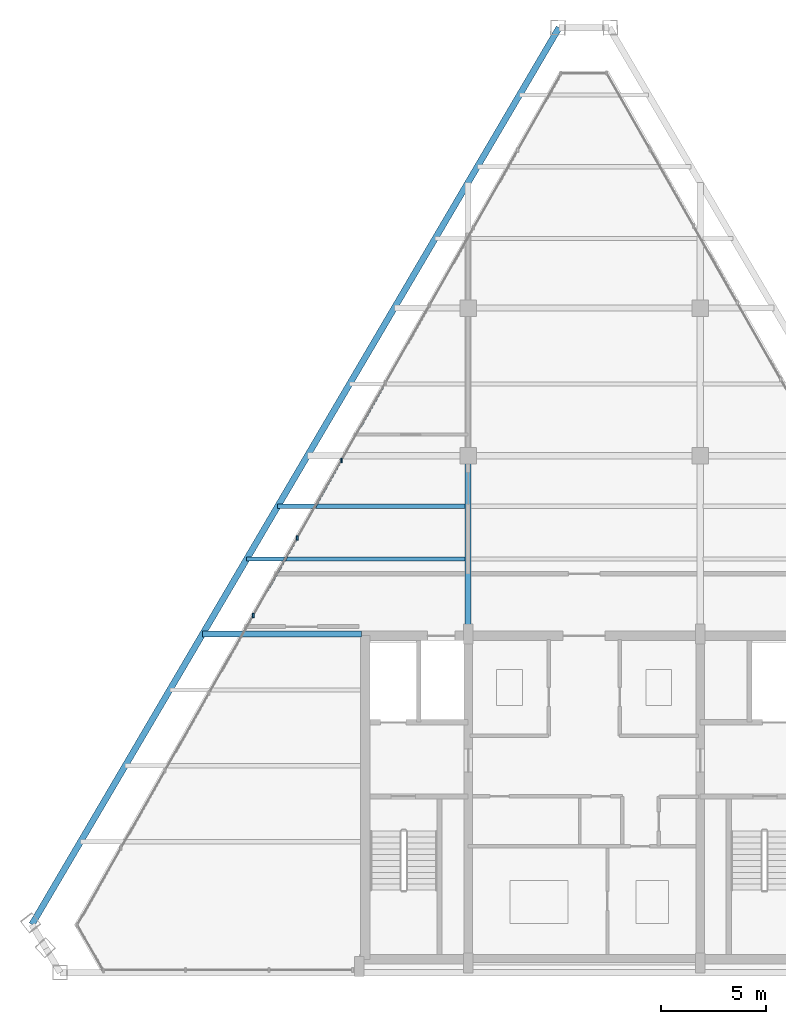
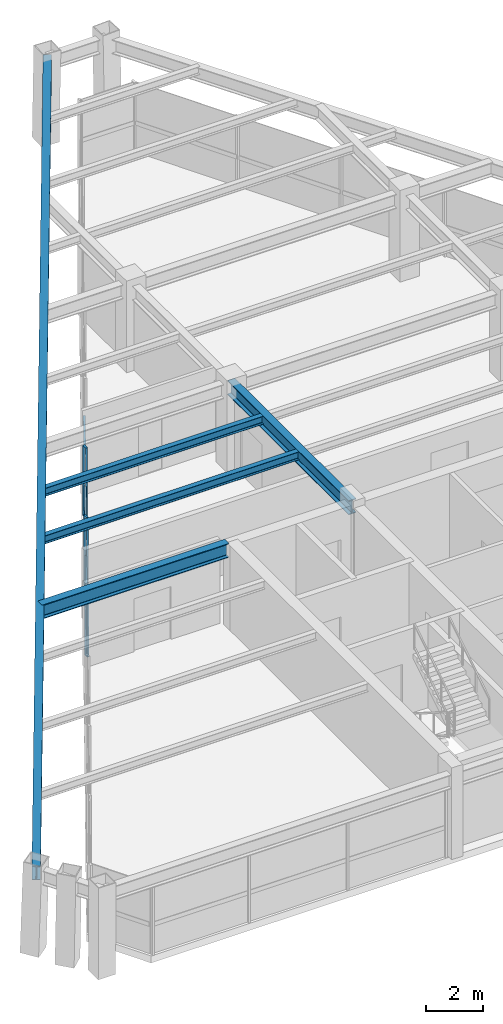
# One storey, part 4 of 12: 6 members, 5 beams, 1 element without a shape of its own.
"""IFC4 building model written with IfcOpenShell, lengths in metres."""

import ifcopenshell
import ifcopenshell.guid

model = None  # the IFC model being written
_history = None  # IfcOwnerHistory: only IFC2X3 demands one
_inside = {}  # id of a spatial element -> (the spatial element, [elements in it])
_under = {}  # id of a project, library or spatial element -> (it, [spatial elements below it])
_declared = {}  # id of a project -> (the project, [libraries it declares])
_typed = {}  # id of a type object -> (the type object, [elements of that type])
_made_of = {}  # id of a material, layer set ... -> (it, [elements and type objects made of it])


def new_model(schema):
    """Start an empty IFC model of exactly this schema.

    Asked for "IFC4X3", IfcOpenShell would pick the latest addendum, in which some entities
    have other attributes; the version numbers below select the first issue.
    IFC2X3 requires an IfcOwnerHistory on every rooted entity: one is made here for all.
    """
    global model, _history
    if schema == "IFC4X3":
        model = ifcopenshell.file(schema_version=(4, 3, 0, 0))
    else:
        model = ifcopenshell.file(schema=schema)
    _inside.clear()
    _under.clear()
    _declared.clear()
    _typed.clear()
    _made_of.clear()
    _history = None
    if model.schema == "IFC2X3":
        org = make("IfcOrganization", Name="unknown")
        user = make(
            "IfcPersonAndOrganization",
            ThePerson=make("IfcPerson", FamilyName="unknown"),
            TheOrganization=org,
        )
        app = make(
            "IfcApplication",
            ApplicationDeveloper=org,
            Version="unknown",
            ApplicationFullName="unknown",
            ApplicationIdentifier="unknown",
        )
        _history = make(
            "IfcOwnerHistory",
            OwningUser=user,
            OwningApplication=app,
            ChangeAction="ADDED",
            CreationDate=0,
        )
    return model


def make(cls, **values):
    """One entity of the class cls with the attributes given. An attribute that is None is left unset."""
    return model.create_entity(
        cls, **{name: value for name, value in values.items() if value is not None}
    )


def rooted(cls, **values):
    """An entity with a GlobalId (a new one), such as an element, a storey or a relation."""
    return make(cls, GlobalId=ifcopenshell.guid.new(), OwnerHistory=_history, **values)


def si_unit(unit_type, name, prefix=None):
    """IfcSIUnit, for example si_unit("LENGTHUNIT", "METRE", prefix="MILLI")."""
    return make("IfcSIUnit", UnitType=unit_type, Prefix=prefix, Name=name)


def assignment(units):
    """IfcUnitAssignment: the units of a project."""
    return None if units is None else make("IfcUnitAssignment", Units=units)


def point(xyz):
    """IfcCartesianPoint."""
    return None if xyz is None else make("IfcCartesianPoint", Coordinates=xyz)


def direction(xyz):
    """IfcDirection."""
    return None if xyz is None else make("IfcDirection", DirectionRatios=xyz)


def frame(location, z_axis=None, x_axis=None):
    """IfcAxis2Placement3D, a coordinate frame: its origin and axes. An axis left out is left unset."""
    return make(
        "IfcAxis2Placement3D",
        Location=point(location),
        Axis=direction(z_axis),
        RefDirection=direction(x_axis),
    )


def frame_2d(location, x_axis=None):
    """IfcAxis2Placement2D, a coordinate frame in the plane: its origin and x axis."""
    return make(
        "IfcAxis2Placement2D", Location=point(location), RefDirection=direction(x_axis)
    )


def origin():
    """The frame at (0, 0, 0) with its axes left unset."""
    return frame((0.0, 0.0, 0.0))


def origin_2d():
    """The frame at (0, 0) in the plane with its x axis left unset."""
    return frame_2d((0.0, 0.0))


def place(relative_to, where):
    """IfcLocalPlacement: puts the frame where relative to a parent placement (None: the world)."""
    return make(
        "IfcLocalPlacement", PlacementRelTo=relative_to, RelativePlacement=where
    )


def context(
    kind, dimensions, precision=None, world=None, true_north=None, identifier=None
):
    """IfcGeometricRepresentationContext, for example the 3D "Model" context."""
    return make(
        "IfcGeometricRepresentationContext",
        ContextIdentifier=identifier,
        ContextType=kind,
        CoordinateSpaceDimension=dimensions,
        Precision=precision,
        WorldCoordinateSystem=world,
        TrueNorth=true_north,
    )


def subcontext(parent, identifier, kind, view, scale=None):
    """IfcGeometricRepresentationSubContext, for example "Body" below "Model"."""
    return make(
        "IfcGeometricRepresentationSubContext",
        ContextIdentifier=identifier,
        ContextType=kind,
        ParentContext=parent,
        TargetScale=scale,
        TargetView=view,
    )


def project(units=None, contexts=None):
    """IfcProject with its units and contexts."""
    return rooted(
        "IfcProject",
        Name="project",
        RepresentationContexts=contexts,
        UnitsInContext=assignment(units),
    )


def spatial(cls, under=None, at=None, **own):
    """A site, building, storey or space (cls), placed at a placement, below another one or the project."""
    s = rooted(cls, ObjectPlacement=at, **own)
    if under is not None:
        _under.setdefault(under.id(), (under, []))[1].append(s)
    return s


def profile(cls, at=None, kind="AREA", **sizes):
    """A parametric profile (cls). Its sizes go by their IFC names, for example OverallWidth=200.0."""
    return make(cls, ProfileType=kind, Position=at, **sizes)


def rectangle(**sizes):
    """IfcRectangleProfileDef."""
    return profile("IfcRectangleProfileDef", **sizes)


def i_section(**sizes):
    """IfcIShapeProfileDef."""
    return profile("IfcIShapeProfileDef", **sizes)


def extrude(swept, where, along, depth):
    """IfcExtrudedAreaSolid: the profile swept, set in the frame where, extruded along a direction by depth."""
    return make(
        "IfcExtrudedAreaSolid",
        SweptArea=swept,
        Position=where,
        ExtrudedDirection=direction(along),
        Depth=depth,
    )


def shape(context_of_items, identifier, shape_type, items):
    """IfcShapeRepresentation: the items that make up one representation, for example the "Body"."""
    return make(
        "IfcShapeRepresentation",
        ContextOfItems=context_of_items,
        RepresentationIdentifier=identifier,
        RepresentationType=shape_type,
        Items=items,
    )


def source(mapping_origin, context_of_items, identifier, shape_type, items):
    """IfcRepresentationMap: a shape defined once, which mapped items show again and again."""
    return make(
        "IfcRepresentationMap",
        MappingOrigin=mapping_origin,
        MappedRepresentation=shape(context_of_items, identifier, shape_type, items),
    )


def transform(
    local_origin,
    x_axis=None,
    y_axis=None,
    z_axis=None,
    scale=None,
    scale2=None,
    scale3=None,
    uniform=True,
):
    """IfcCartesianTransformationOperator3D, or its non-uniform kind. x_axis, y_axis, z_axis: its Axis1, 2, 3."""
    if uniform:
        return make(
            "IfcCartesianTransformationOperator3D",
            Axis1=direction(x_axis),
            Axis2=direction(y_axis),
            LocalOrigin=point(local_origin),
            Scale=scale,
            Axis3=direction(z_axis),
        )
    return make(
        "IfcCartesianTransformationOperator3DnonUniform",
        Axis1=direction(x_axis),
        Axis2=direction(y_axis),
        LocalOrigin=point(local_origin),
        Scale=scale,
        Axis3=direction(z_axis),
        Scale2=scale2,
        Scale3=scale3,
    )


def mapped(mapping_source, mapping_target):
    """IfcMappedItem: shows the shape of a source again, moved by a transform."""
    return make(
        "IfcMappedItem", MappingSource=mapping_source, MappingTarget=mapping_target
    )


def material(Name=None, Category=None):
    """IfcMaterial."""
    return make("IfcMaterial", Name=Name, Category=Category)


def material_profile(
    of_material, cross_section, Name=None, Category=None, Priority=None
):
    """IfcMaterialProfile: a cross section and its material."""
    return make(
        "IfcMaterialProfile",
        Name=Name,
        Material=of_material,
        Profile=cross_section,
        Priority=Priority,
        Category=Category,
    )


def profile_set(profiles, Name=None, composite=None):
    """IfcMaterialProfileSet."""
    return make(
        "IfcMaterialProfileSet",
        Name=Name,
        MaterialProfiles=profiles,
        CompositeProfile=composite,
    )


def made_of(thing, what):
    """Note that an element or type object is made of a material, layer set ...; save() writes the relation."""
    if what is not None:
        _made_of.setdefault(what.id(), (what, []))[1].append(thing)
    return thing


def type_object(cls, material=None, **own):
    """A type object (cls), such as IfcWallType, which elements share."""
    return made_of(rooted(cls, **own), material)


def type_shapes(of_type, sources):
    """Give a type object the sources (RepresentationMaps) that its elements show as mapped items."""
    of_type.RepresentationMaps = sources


def element(
    cls,
    number,
    at=None,
    inside=None,
    cuts=None,
    type_object=None,
    material=None,
    context=None,
    identifier="Body",
    shape_type=None,
    held_by="IfcProductDefinitionShape",
    body=None,
    shapes=None,
    **own,
):
    """One element of the class cls, such as IfcWall. Its Tag is "e" and its number.

    at: its placement. inside: the storey or other place that contains it. cuts: it is an
    opening in that element (IfcRelVoidsElement). A single representation is given by context,
    identifier, shape_type and body (its items); several are given by shapes. held_by: the class
    of the entity that holds the representations. save() writes the other relations.
    """
    e = rooted(cls, Tag="e%d" % number, ObjectPlacement=at, **own)
    if body is not None:
        shapes = [shape(context, identifier, shape_type, body)]
    if shapes is not None:
        e.Representation = make(held_by, Representations=shapes)
    if inside is not None:
        _inside.setdefault(inside.id(), (inside, []))[1].append(e)
    if cuts is not None:
        rooted(
            "IfcRelVoidsElement", RelatingBuildingElement=cuts, RelatedOpeningElement=e
        )
    if type_object is not None:
        _typed.setdefault(type_object.id(), (type_object, []))[1].append(e)
    return made_of(e, material)


def aggregate(whole, parts):
    """IfcRelAggregates: a whole, such as a stair, and the parts it consists of."""
    return rooted("IfcRelAggregates", RelatingObject=whole, RelatedObjects=parts)


def save(model, path):
    """Write the relations noted so far, then the file.

    IfcRelAggregates (storeys below a building ...), IfcRelContainedInSpatialStructure (elements
    in a storey), IfcRelDefinesByType, IfcRelAssociatesMaterial and IfcRelDeclares: one each for
    every whole, place, type object, material and project.
    """
    for whole, parts in _under.values():
        aggregate(whole, parts)
    for where, things in _inside.values():
        rooted(
            "IfcRelContainedInSpatialStructure",
            RelatedElements=things,
            RelatingStructure=where,
        )
    for kind, things in _typed.values():
        rooted("IfcRelDefinesByType", RelatedObjects=things, RelatingType=kind)
    for what, things in _made_of.values():
        rooted("IfcRelAssociatesMaterial", RelatedObjects=things, RelatingMaterial=what)
    for by, libraries in _declared.values():
        rooted("IfcRelDeclares", RelatingContext=by, RelatedDefinitions=libraries)
    model.write(path)


model = new_model("IFC4")

# Units and contexts
model_context = context("Model", 3, precision=1e-05, world=origin(), true_north=direction((0.0, 1.0)))
body_context = subcontext(model_context, "Body", "Model", "MODEL_VIEW")
ifc_project = project(units=[si_unit("LENGTHUNIT", "METRE"), si_unit("AREAUNIT", "SQUARE_METRE"), si_unit("VOLUMEUNIT", "CUBIC_METRE"), si_unit("PLANEANGLEUNIT", "RADIAN"), si_unit("MASSUNIT", "GRAM", prefix="KILO")], contexts=[model_context])

# Site, building, storey
site_placement = place(None, origin())
site = spatial("IfcSite", under=ifc_project, at=site_placement, CompositionType="ELEMENT")
building_placement = place(site_placement, origin())
building = spatial("IfcBuilding", under=site, at=building_placement, Name="Varnakhor Terracotta Tower", CompositionType="ELEMENT")
storey_placement = place(building_placement, frame((0.0, 0.0, 309.699951171875)))
storey = spatial("IfcBuildingStorey", under=building, at=storey_placement, Name="L81 Crown", CompositionType="ELEMENT", Elevation=309.699951171875)

# Beams
ifc_material_1 = material(Name="Steel S355", Category="steel")
ifc_material_profile_1 = material_profile(ifc_material_1, i_section(OverallWidth=0.300048828125, OverallDepth=0.60009765625, WebThickness=0.015380859375, FlangeThickness=0.030029296875, FilletRadius=0.01806640625, at=origin_2d()), Name="HEB600")
ifc_profile_set_1 = profile_set([ifc_material_profile_1], Name="Steel S355")
beam_type_1 = type_object("IfcBeamType", Name="BM-HEB600", PredefinedType="BEAM", material=ifc_profile_set_1)
shared_shape_1 = source(origin(), body_context, "Body", "SweptSolid", [
    extrude(i_section(OverallWidth=0.300048828125, OverallDepth=0.60009765625, WebThickness=0.015380859375, FlangeThickness=0.030029296875, FilletRadius=0.01806640625, at=origin_2d()), origin(), (0.0, 0.0, 1.0), 49.307373046875),
])
beam_1_placement = place(storey_placement, frame((-1.1865234375, 44.78759765625, 3.300048828125), z_axis=(-0.506775591106, -0.862078012861, 0.0), x_axis=(0.862078012861, -0.506775591106, 0.0)))
element("IfcBeam", 1, at=beam_1_placement, inside=storey, type_object=beam_type_1, Name="L81 Crown Perimeter Spandrel 6", PredefinedType="BEAM", context=body_context, shape_type="MappedRepresentation", body=[
    mapped(shared_shape_1, transform((0.0, 0.0, 0.0), scale=1.0)),
])
shared_shape_2 = source(origin(), body_context, "Body", "SweptSolid", [
    extrude(i_section(OverallWidth=0.300048828125, OverallDepth=0.60009765625, WebThickness=0.015380859375, FlangeThickness=0.030029296875, FilletRadius=0.01806640625, at=origin_2d()), origin(), (0.0, 0.0, 1.0), 8.449951171875),
])
beam_2_placement = place(storey_placement, frame((-5.5, 16.050048828125, 3.300048828125), z_axis=(0.0, 1.0, 0.0), x_axis=(-1.0, 0.0, 0.0)))
element("IfcBeam", 2, at=beam_2_placement, inside=storey, type_object=beam_type_1, Name="L81 Crown Primary Girder NS1-W", PredefinedType="BEAM", context=body_context, shape_type="MappedRepresentation", body=[
    mapped(shared_shape_2, transform((0.0, 0.0, 0.0), scale=1.0)),
])
shared_shape_3 = source(origin(), body_context, "Body", "SweptSolid", [
    extrude(i_section(OverallWidth=0.300048828125, OverallDepth=0.60009765625, WebThickness=0.015380859375, FlangeThickness=0.030029296875, FilletRadius=0.01806640625, at=origin_2d()), origin(), (0.0, 0.0, 1.0), 7.530029296875),
])
beam_3_placement = place(storey_placement, frame((-18.080078125, 16.050048828125, 3.300048828125), z_axis=(1.0, 0.0, 0.0), x_axis=(0.0, 1.0, 0.0)))
element("IfcBeam", 3, at=beam_3_placement, inside=storey, type_object=beam_type_1, Name="L81 Crown Wing Girder W", PredefinedType="BEAM", context=body_context, shape_type="MappedRepresentation", body=[
    mapped(shared_shape_3, transform((0.0, 0.0, 0.0), scale=1.0)),
])
ifc_material_profile_2 = material_profile(ifc_material_1, i_section(OverallWidth=0.202880859375, OverallDepth=0.346923828125, WebThickness=0.0078125, FlangeThickness=0.013427734375, FilletRadius=0.01806640625, at=origin_2d()), Name="W14X43")
ifc_profile_set_2 = profile_set([ifc_material_profile_2], Name="Steel S355")
beam_type_2 = type_object("IfcBeamType", Name="JST-W14X43", PredefinedType="JOIST", material=ifc_profile_set_2)
shared_shape_4 = source(origin(), body_context, "Body", "SweptSolid", [
    extrude(i_section(OverallWidth=0.202880859375, OverallDepth=0.346923828125, WebThickness=0.0078125, FlangeThickness=0.013427734375, FilletRadius=0.01806640625, at=origin_2d()), origin(), (0.0, 0.0, 1.0), 10.34716796875),
])
beam_4_placement = place(storey_placement, frame((-15.9931640625, 19.60009765625, 3.426513671875), z_axis=(1.0, 0.0, 0.0), x_axis=(0.0, 1.0, 0.0)))
element("IfcBeam", 4, at=beam_4_placement, inside=storey, type_object=beam_type_2, Name="L81 Crown Composite Floor Joist 4-1", PredefinedType="JOIST", context=body_context, shape_type="MappedRepresentation", body=[
    mapped(shared_shape_4, transform((0.0, 0.0, 0.0), scale=1.0)),
])
shared_shape_5 = source(origin(), body_context, "Body", "SweptSolid", [
    extrude(i_section(OverallWidth=0.202880859375, OverallDepth=0.346923828125, WebThickness=0.0078125, FlangeThickness=0.013427734375, FilletRadius=0.01806640625, at=origin_2d()), origin(), (0.0, 0.0, 1.0), 8.87744140625),
])
beam_5_placement = place(storey_placement, frame((-14.5234375, 22.10009765625, 3.426513671875), z_axis=(1.0, 0.0, 0.0), x_axis=(0.0, 1.0, 0.0)))
element("IfcBeam", 5, at=beam_5_placement, inside=storey, type_object=beam_type_2, Name="L81 Crown Composite Floor Joist 5-1", PredefinedType="JOIST", context=body_context, shape_type="MappedRepresentation", body=[
    mapped(shared_shape_5, transform((0.0, 0.0, 0.0), scale=1.0)),
])

# Curtain wall, members
ifc_material_2 = material(Name="Anodised Aluminium Curtain Wall System", Category="aluminium")
curtain_wall_type = type_object("IfcCurtainWallType", Name="CW-SYS-CROWN", PredefinedType="NOTDEFINED", material=ifc_material_2)
curtain_wall_placement = place(storey_placement, origin())
curtain_wall = element("IfcCurtainWall", 6, at=curtain_wall_placement, inside=storey, type_object=curtain_wall_type, Name="L81 Crown Facet Curtain Wall 1", PredefinedType="NOTDEFINED")
ifc_material_3 = material(Name="Anodised Aluminium 6063-T6", Category="aluminium")
ifc_material_profile_3 = material_profile(ifc_material_3, rectangle(XDim=0.080078125, YDim=0.205078125, at=origin_2d()), Name="ALU MULLION 80x205")
ifc_profile_set_3 = profile_set([ifc_material_profile_3], Name="Anodised Aluminium 6063-T6")
member_type_1 = type_object("IfcMemberType", Name="CWM-06", PredefinedType="MULLION", material=ifc_profile_set_3)
shared_shape_6 = source(origin(), body_context, "Body", "SweptSolid", [
    extrude(rectangle(XDim=0.080078125, YDim=0.205078125, at=origin_2d()), origin(), (0.0, 0.0, 1.0), 2.97998046875),
])
type_shapes(member_type_1, [shared_shape_6])
member_1_placement = place(storey_placement, frame((-15.682861328125, 16.929931640625, 0.0), z_axis=(0.0, 0.0, 1.0), x_axis=(1.0, 0.0, 0.0)))
member_1 = element("IfcMember", 7, at=member_1_placement, type_object=member_type_1, Name="L81 Crown Facet Curtain Wall 1 Mullion 5", PredefinedType="MULLION", context=body_context, shape_type="MappedRepresentation", body=[
    mapped(shared_shape_6, transform((0.0, 0.0, 0.0), scale=1.0)),
])
member_2_placement = place(storey_placement, frame((-13.593994140625, 20.6044921875, 0.0), z_axis=(0.0, 0.0, 1.0), x_axis=(1.0, 0.0, 0.0)))
member_2 = element("IfcMember", 8, at=member_2_placement, type_object=member_type_1, Name="L81 Crown Facet Curtain Wall 1 Mullion 6", PredefinedType="MULLION", context=body_context, shape_type="MappedRepresentation", body=[
    mapped(shared_shape_6, transform((0.0, 0.0, 0.0), scale=1.0)),
])
member_3_placement = place(storey_placement, frame((-11.5048828125, 24.279052734375, 0.0), z_axis=(0.0, 0.0, 1.0), x_axis=(1.0, 0.0, 0.0)))
member_3 = element("IfcMember", 9, at=member_3_placement, type_object=member_type_1, Name="L81 Crown Facet Curtain Wall 1 Mullion 7", PredefinedType="MULLION", context=body_context, shape_type="MappedRepresentation", body=[
    mapped(shared_shape_6, transform((0.0, 0.0, 0.0), scale=1.0)),
])
ifc_material_profile_4 = material_profile(ifc_material_3, rectangle(XDim=0.080078125, YDim=0.179931640625, at=origin_2d()), Name="ALU TRANSOM 80x180")
ifc_profile_set_4 = profile_set([ifc_material_profile_4], Name="Anodised Aluminium 6063-T6")
member_type_2 = type_object("IfcMemberType", Name="CWT-06", PredefinedType="USERDEFINED", material=ifc_profile_set_4)
shared_shape_7 = source(origin(), body_context, "Body", "SweptSolid", [
    extrude(rectangle(XDim=0.080078125, YDim=0.179931640625, at=origin_2d()), origin(), (0.0, 0.0, 1.0), 4.226806640625),
])
member_4_placement = place(storey_placement, frame((-15.682861328125, 16.929931640625, 1.251708984375), z_axis=(0.494196953509, 0.869349970462, 0.0), x_axis=(-0.869349970462, 0.494196953509, 0.0)))
member_4 = element("IfcMember", 10, at=member_4_placement, type_object=member_type_2, Name="L81 Crown Facet Curtain Wall 1 Transom 5", ObjectType="TRANSOM", PredefinedType="USERDEFINED", context=body_context, shape_type="MappedRepresentation", body=[
    mapped(shared_shape_7, transform((0.0, 0.0, 0.0), scale=1.0)),
])
member_5_placement = place(storey_placement, frame((-13.593994140625, 20.6044921875, 1.251708984375), z_axis=(0.494240605091, 0.869325154519, 0.0), x_axis=(-0.869325154519, 0.494240605091, 0.0)))
member_5 = element("IfcMember", 11, at=member_5_placement, type_object=member_type_2, Name="L81 Crown Facet Curtain Wall 1 Transom 6", ObjectType="TRANSOM", PredefinedType="USERDEFINED", context=body_context, shape_type="MappedRepresentation", body=[
    mapped(shared_shape_7, transform((0.0, 0.0, 0.0), scale=1.0)),
])
member_6_placement = place(storey_placement, frame((-11.5048828125, 24.279052734375, 1.251708984375), z_axis=(0.494196953509, 0.869349970462, 0.0), x_axis=(-0.869349970462, 0.494196953509, 0.0)))
member_6 = element("IfcMember", 12, at=member_6_placement, type_object=member_type_2, Name="L81 Crown Facet Curtain Wall 1 Transom 7", ObjectType="TRANSOM", PredefinedType="USERDEFINED", context=body_context, shape_type="MappedRepresentation", body=[
    mapped(shared_shape_7, transform((0.0, 0.0, 0.0), scale=1.0)),
])
aggregate(curtain_wall, [member_1, member_4, member_2, member_5, member_3, member_6])

save(model, "model.ifc")
